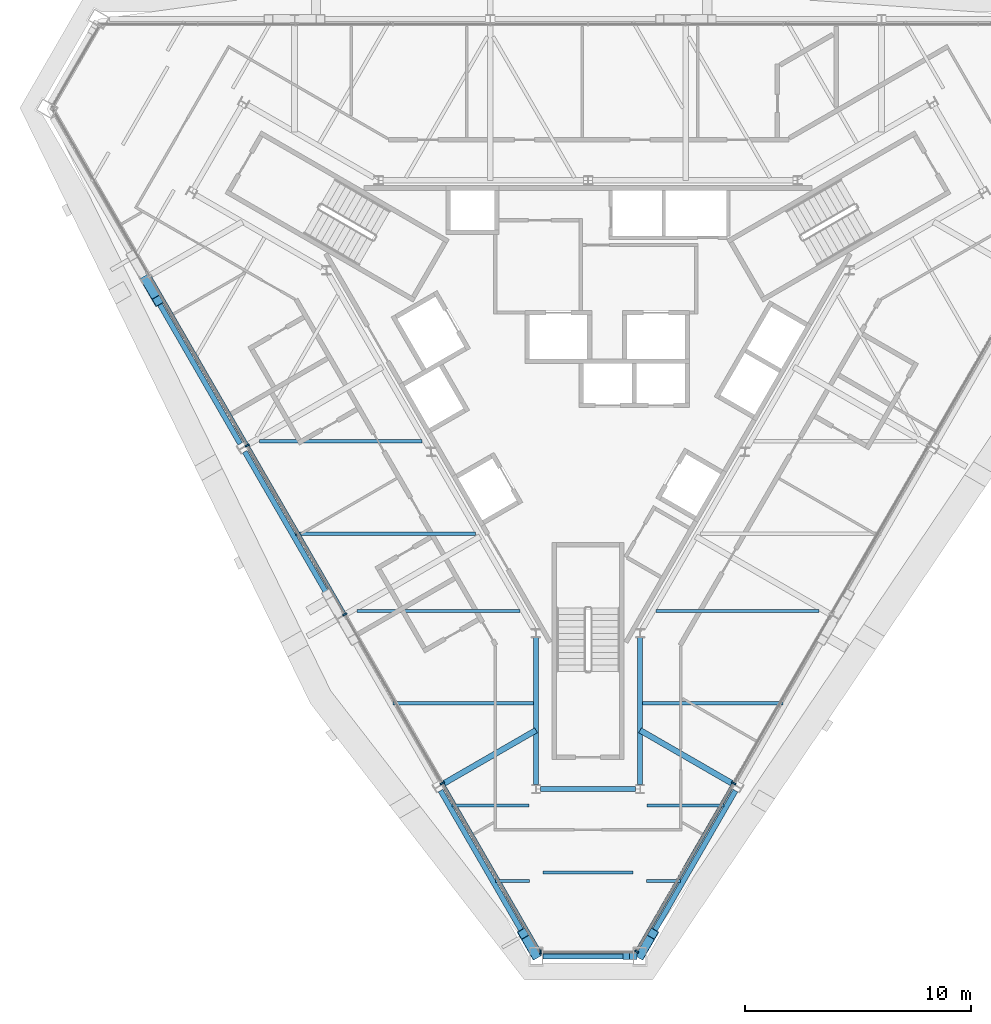
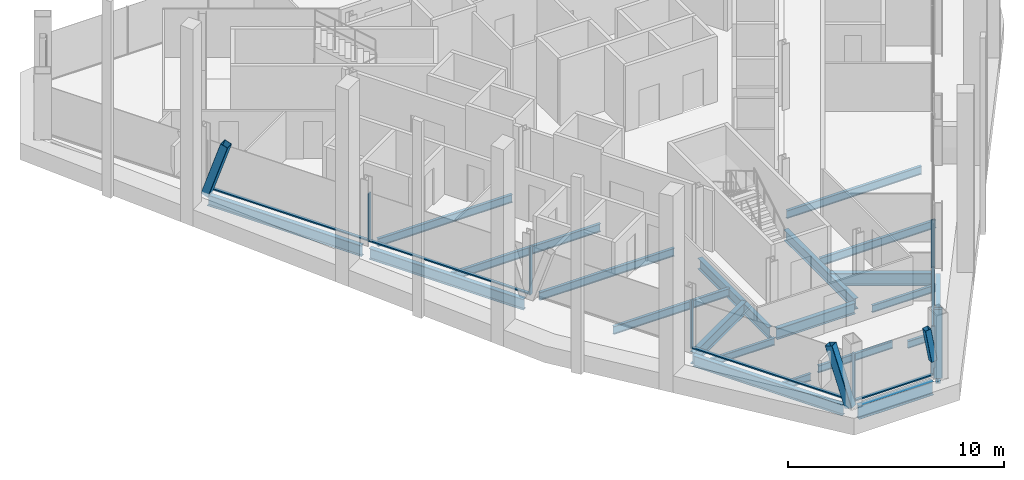
# One storey, part 2 of 14: 21 beams, 15 members, 3 elements without a shape of their own.
"""IFC4 building model written with IfcOpenShell, lengths in metres."""

from ifc_helpers import new_model, si_unit, direction, frame, origin, origin_2d, place, context, subcontext, project, spatial, rectangle, hollow_rectangle, i_section, extrude, material, material_profile, profile_set, type_object, element, aggregate, save


model = new_model("IFC4")

# Units and contexts
model_context = context("Model", 3, precision=1e-05, world=origin(), true_north=direction((0.0, 1.0)))
body_context = subcontext(model_context, "Body", "Model", "MODEL_VIEW")
ifc_project = project(units=[si_unit("LENGTHUNIT", "METRE"), si_unit("AREAUNIT", "SQUARE_METRE"), si_unit("VOLUMEUNIT", "CUBIC_METRE"), si_unit("PLANEANGLEUNIT", "RADIAN"), si_unit("MASSUNIT", "GRAM", prefix="KILO")], contexts=[model_context])

# Site, building, storey
site_placement = place(None, origin())
site = spatial("IfcSite", under=ifc_project, at=site_placement, CompositionType="ELEMENT")
building_placement = place(site_placement, origin())
building = spatial("IfcBuilding", under=site, at=building_placement, Name="Verrane Prism Tower", CompositionType="ELEMENT")
storey_placement = place(building_placement, frame((0.0, 0.0, 206.39990234375)))
storey = spatial("IfcBuildingStorey", under=building, at=storey_placement, Name="L51", CompositionType="ELEMENT", Elevation=206.39990234375)

# Member
ifc_material_1 = material(Name="Steel A500 Grade C", Category="steel")
ifc_material_profile_1 = material_profile(ifc_material_1, hollow_rectangle(XDim=0.3046875, YDim=0.3046875, WallThickness=0.0126953125, InnerFilletRadius=0.00634765625, OuterFilletRadius=0.01904296875, at=origin_2d()), Name="HSS12x12x1/2")
ifc_profile_set_1 = profile_set([ifc_material_profile_1], Name="Steel A500 Grade C")
member_type_1 = type_object("IfcMemberType", Name="Chamfer brace HSS12x12x1/2", PredefinedType="BRACE", material=ifc_profile_set_1)
member_1_placement = place(storey_placement, frame((2.02001953125, -26.2900390625, 0.988525390625), z_axis=(-0.174172532902, 0.0, 0.984715151088), x_axis=(0.0, -1.0, 0.0)))
element("IfcMember", 1, at=member_1_placement, inside=storey, type_object=member_type_1, Name="Chamfer brace S0 L51", PredefinedType="BRACE", context=body_context, shape_type="SweptSolid", body=[
    extrude(hollow_rectangle(XDim=0.3046875, YDim=0.3046875, WallThickness=0.0126953125, InnerFilletRadius=0.00634765625, OuterFilletRadius=0.01904296875, at=origin_2d()), origin(), (0.0, 0.0, 1.0), 1.90625),
])

# Beams
ifc_material_2 = material(Name="Steel A992", Category="steel")
ifc_material_profile_2 = material_profile(ifc_material_2, i_section(OverallWidth=0.2666015625, OverallDepth=0.7568359375, WebThickness=0.013916015625, FlangeThickness=0.019287109375, FilletRadius=0.0166015625, at=origin_2d()), Name="W30x108")
ifc_profile_set_2 = profile_set([ifc_material_profile_2], Name="Steel A992")
beam_type_1 = type_object("IfcBeamType", Name="Chamfer spandrel beam W30x108", PredefinedType="SPANDREL", material=ifc_profile_set_2)
beam_1_placement = place(storey_placement, frame((-1.989990234375, -26.2900390625, -0.538330078125), z_axis=(1.0, 0.0, 0.0), x_axis=(0.0, 1.0, 0.0)))
element("IfcBeam", 2, at=beam_1_placement, inside=storey, type_object=beam_type_1, Name="Chamfer spandrel beam L51", PredefinedType="SPANDREL", context=body_context, shape_type="SweptSolid", body=[
    extrude(i_section(OverallWidth=0.2666015625, OverallDepth=0.7568359375, WebThickness=0.013916015625, FlangeThickness=0.019287109375, FilletRadius=0.0166015625, at=origin_2d()), origin(), (0.0, 0.0, 1.0), 3.97998046875),
])
ifc_material_3 = material(Name="Steel A992", Category="steel")
ifc_material_profile_3 = material_profile(ifc_material_3, i_section(OverallWidth=0.23046875, OverallDepth=0.6171875, WebThickness=0.01318359375, FlangeThickness=0.022216796875, FilletRadius=0.012939453125, at=origin_2d()), Name="W24x94")
ifc_profile_set_3 = profile_set([ifc_material_profile_3], Name="Steel A992")
beam_type_2 = type_object("IfcBeamType", Name="Core ring girder W24x94", PredefinedType="BEAM", material=ifc_profile_set_3)
beam_2_placement = place(storey_placement, frame((-2.300048828125, -12.212890625, -0.55859375), z_axis=(0.0, -1.0, 0.0), x_axis=(1.0, 0.0, 0.0)))
element("IfcBeam", 3, at=beam_2_placement, inside=storey, type_object=beam_type_2, Name="Core ring girder L51", PredefinedType="BEAM", context=body_context, shape_type="SweptSolid", body=[
    extrude(i_section(OverallWidth=0.23046875, OverallDepth=0.6171875, WebThickness=0.01318359375, FlangeThickness=0.022216796875, FilletRadius=0.012939453125, at=origin_2d()), origin(), (0.0, 0.0, 1.0), 6.48779296875),
])
beam_3_placement = place(storey_placement, frame((-2.099365234375, -18.89990234375, -0.55859375), z_axis=(1.0, 0.0, 0.0), x_axis=(0.0, 1.0, 0.0)))
element("IfcBeam", 4, at=beam_3_placement, inside=storey, type_object=beam_type_2, Name="Core ring girder L51", PredefinedType="BEAM", context=body_context, shape_type="SweptSolid", body=[
    extrude(i_section(OverallWidth=0.23046875, OverallDepth=0.6171875, WebThickness=0.01318359375, FlangeThickness=0.022216796875, FilletRadius=0.012939453125, at=origin_2d()), origin(), (0.0, 0.0, 1.0), 4.19873046875),
])
beam_4_placement = place(storey_placement, frame((2.300048828125, -18.70068359375, -0.55859375), z_axis=(0.0, 1.0, 0.0), x_axis=(-1.0, 0.0, 0.0)))
element("IfcBeam", 5, at=beam_4_placement, inside=storey, type_object=beam_type_2, Name="Core ring girder L51", PredefinedType="BEAM", context=body_context, shape_type="SweptSolid", body=[
    extrude(i_section(OverallWidth=0.23046875, OverallDepth=0.6171875, WebThickness=0.01318359375, FlangeThickness=0.022216796875, FilletRadius=0.012939453125, at=origin_2d()), origin(), (0.0, 0.0, 1.0), 6.48779296875),
])

# Members
ifc_material_4 = material(Name="Steel A500 Grade C", Category="steel")
ifc_material_profile_4 = material_profile(ifc_material_4, hollow_rectangle(XDim=0.406494140625, YDim=0.406494140625, WallThickness=0.01904296875, InnerFilletRadius=0.009521484375, OuterFilletRadius=0.028564453125, at=origin_2d()), Name="HSS16x16x3/4")
ifc_profile_set_4 = profile_set([ifc_material_profile_4], Name="Steel A500 Grade C")
member_type_2 = type_object("IfcMemberType", Name="Facade brace HSS16x16x3/4", PredefinedType="BRACE", material=ifc_profile_set_4)
member_2_placement = place(storey_placement, frame((-19.54052734375, 3.583984375, -0.171630859375), z_axis=(0.158225916084, -0.274268053334, 0.948547096564), x_axis=(0.86619331399, 0.499709058151, 0.0)))
element("IfcMember", 6, at=member_2_placement, inside=storey, type_object=member_type_2, Name="Facade brace SW1 L51", PredefinedType="BRACE", context=body_context, shape_type="SweptSolid", body=[
    extrude(hollow_rectangle(XDim=0.406494140625, YDim=0.406494140625, WallThickness=0.01904296875, InnerFilletRadius=0.009521484375, OuterFilletRadius=0.028564453125, at=origin_2d()), origin(), (0.0, 0.0, 1.0), 3.322021484375),
])
for number, where, z_axis, x_axis, name in (
    (7, (-2.339599609375, -26.2041015625, -0.171630859375), (-0.158580943539, 0.274320047373, 0.948472770276), (-0.865748962262, -0.500478505374, 0.0), "Facade brace SW4 L51"),
    (8, (2.339599609375, -26.2041015625, -0.171630859375), (0.158580943539, 0.274320047373, 0.948472770276), (-0.865748962262, 0.500478505374, 0.0), "Facade brace SE0 L51"),
):
    element("IfcMember", number, at=place(storey_placement, frame(where, z_axis=z_axis, x_axis=x_axis)), inside=storey, type_object=member_type_2, Name=name, PredefinedType="BRACE", context=body_context, shape_type="SweptSolid", body=[
        extrude(hollow_rectangle(XDim=0.406494140625, YDim=0.406494140625, WallThickness=0.01904296875, InnerFilletRadius=0.009521484375, OuterFilletRadius=0.028564453125, at=origin_2d()), origin(), (0.0, 0.0, 1.0), 3.322265625),
    ])

# Beams
ifc_material_5 = material(Name="Steel A992", Category="steel")
ifc_material_profile_5 = material_profile(ifc_material_5, i_section(OverallWidth=0.140380859375, OverallDepth=0.40380859375, WebThickness=0.007080078125, FlangeThickness=0.01123046875, FilletRadius=0.01025390625, at=origin_2d()), Name="W16x31")
ifc_profile_set_5 = profile_set([ifc_material_profile_5], Name="Steel A992")
beam_type_3 = type_object("IfcBeamType", Name="Floor beam W16x31", PredefinedType="BEAM", material=ifc_profile_set_5)
beam_5_placement = place(storey_placement, frame((-4.080322265625, -22.96337890625, -0.36181640625), z_axis=(1.0, 0.0, 0.0), x_axis=(0.0, 1.0, 0.0)))
element("IfcBeam", 9, at=beam_5_placement, inside=storey, type_object=beam_type_3, Name="Floor beam L51", PredefinedType="BEAM", context=body_context, shape_type="SweptSolid", body=[
    extrude(i_section(OverallWidth=0.140380859375, OverallDepth=0.40380859375, WebThickness=0.007080078125, FlangeThickness=0.01123046875, FilletRadius=0.01025390625, at=origin_2d()), origin(), (0.0, 0.0, 1.0), 1.48583984375),
])
beam_6_placement = place(storey_placement, frame((-6.00341796875, -19.63671875, -0.36181640625), z_axis=(1.0, 0.0, 0.0), x_axis=(0.0, 1.0, 0.0)))
element("IfcBeam", 10, at=beam_6_placement, inside=storey, type_object=beam_type_3, Name="Floor beam L51", PredefinedType="BEAM", context=body_context, shape_type="SweptSolid", body=[
    extrude(i_section(OverallWidth=0.140380859375, OverallDepth=0.40380859375, WebThickness=0.007080078125, FlangeThickness=0.01123046875, FilletRadius=0.01025390625, at=origin_2d()), origin(), (0.0, 0.0, 1.0), 3.404296875),
])
beam_7_placement = place(storey_placement, frame((2.594482421875, -22.96337890625, -0.36181640625), z_axis=(1.0, 0.0, 0.0), x_axis=(0.0, 1.0, 0.0)))
element("IfcBeam", 11, at=beam_7_placement, inside=storey, type_object=beam_type_3, Name="Floor beam L51", PredefinedType="BEAM", context=body_context, shape_type="SweptSolid", body=[
    extrude(i_section(OverallWidth=0.140380859375, OverallDepth=0.40380859375, WebThickness=0.007080078125, FlangeThickness=0.01123046875, FilletRadius=0.01025390625, at=origin_2d()), origin(), (0.0, 0.0, 1.0), 1.48583984375),
])
beam_8_placement = place(storey_placement, frame((2.59912109375, -19.63671875, -0.36181640625), z_axis=(1.0, 0.0, 0.0), x_axis=(0.0, 1.0, 0.0)))
element("IfcBeam", 12, at=beam_8_placement, inside=storey, type_object=beam_type_3, Name="Floor beam L51", PredefinedType="BEAM", context=body_context, shape_type="SweptSolid", body=[
    extrude(i_section(OverallWidth=0.140380859375, OverallDepth=0.40380859375, WebThickness=0.007080078125, FlangeThickness=0.01123046875, FilletRadius=0.01025390625, at=origin_2d()), origin(), (0.0, 0.0, 1.0), 3.404296875),
])
beam_9_placement = place(storey_placement, frame((-1.9951171875, -22.594970703125, -0.36181640625), z_axis=(1.0, 0.0, 0.0), x_axis=(0.0, 1.0, 0.0)))
element("IfcBeam", 13, at=beam_9_placement, inside=storey, type_object=beam_type_3, Name="Floor beam L51", PredefinedType="BEAM", context=body_context, shape_type="SweptSolid", body=[
    extrude(i_section(OverallWidth=0.140380859375, OverallDepth=0.40380859375, WebThickness=0.007080078125, FlangeThickness=0.01123046875, FilletRadius=0.01025390625, at=origin_2d()), origin(), (0.0, 0.0, 1.0), 3.990234375),
])
ifc_material_6 = material(Name="Steel A992", Category="steel")
ifc_material_profile_6 = material_profile(ifc_material_6, i_section(OverallWidth=0.15234375, OverallDepth=0.449462890625, WebThickness=0.007568359375, FlangeThickness=0.0107421875, FilletRadius=0.01025390625, at=origin_2d()), Name="W18x35")
ifc_profile_set_6 = profile_set([ifc_material_profile_6], Name="Steel A992")
beam_type_4 = type_object("IfcBeamType", Name="Floor beam W18x35", PredefinedType="BEAM", material=ifc_profile_set_6)
beam_10_placement = place(storey_placement, frame((-12.9384765625, -7.623291015625, -0.384765625), z_axis=(1.0, 0.0, 0.0), x_axis=(0.0, 1.0, 0.0)))
element("IfcBeam", 14, at=beam_10_placement, inside=storey, type_object=beam_type_4, Name="Floor beam L51", PredefinedType="BEAM", context=body_context, shape_type="SweptSolid", body=[
    extrude(i_section(OverallWidth=0.15234375, OverallDepth=0.449462890625, WebThickness=0.007568359375, FlangeThickness=0.0107421875, FilletRadius=0.01025390625, at=origin_2d()), origin(), (0.0, 0.0, 1.0), 7.962890625),
])
beam_11_placement = place(storey_placement, frame((-14.525390625, -3.53662109375, -0.384765625), z_axis=(1.0, 0.0, 0.0), x_axis=(0.0, 1.0, 0.0)))
element("IfcBeam", 15, at=beam_11_placement, inside=storey, type_object=beam_type_4, Name="Floor beam L51", PredefinedType="BEAM", context=body_context, shape_type="SweptSolid", body=[
    extrude(i_section(OverallWidth=0.15234375, OverallDepth=0.449462890625, WebThickness=0.007568359375, FlangeThickness=0.0107421875, FilletRadius=0.01025390625, at=origin_2d()), origin(), (0.0, 0.0, 1.0), 7.19580078125),
])
beam_12_placement = place(storey_placement, frame((-8.61181640625, -15.11669921875, -0.384765625), z_axis=(1.0, 0.0, 0.0), x_axis=(0.0, 1.0, 0.0)))
element("IfcBeam", 16, at=beam_12_placement, inside=storey, type_object=beam_type_4, Name="Floor beam L51", PredefinedType="BEAM", context=body_context, shape_type="SweptSolid", body=[
    extrude(i_section(OverallWidth=0.15234375, OverallDepth=0.449462890625, WebThickness=0.007568359375, FlangeThickness=0.0107421875, FilletRadius=0.01025390625, at=origin_2d()), origin(), (0.0, 0.0, 1.0), 6.19677734375),
])
beam_13_placement = place(storey_placement, frame((-10.20654296875, -11.033203125, -0.384765625), z_axis=(1.0, 0.0, 0.0), x_axis=(0.0, 1.0, 0.0)))
element("IfcBeam", 17, at=beam_13_placement, inside=storey, type_object=beam_type_4, Name="Floor beam L51", PredefinedType="BEAM", context=body_context, shape_type="SweptSolid", body=[
    extrude(i_section(OverallWidth=0.15234375, OverallDepth=0.449462890625, WebThickness=0.007568359375, FlangeThickness=0.0107421875, FilletRadius=0.01025390625, at=origin_2d()), origin(), (0.0, 0.0, 1.0), 7.203125),
])
beam_14_placement = place(storey_placement, frame((2.4150390625, -15.11669921875, -0.384765625), z_axis=(1.0, 0.0, 0.0), x_axis=(0.0, 1.0, 0.0)))
element("IfcBeam", 18, at=beam_14_placement, inside=storey, type_object=beam_type_4, Name="Floor beam L51", PredefinedType="BEAM", context=body_context, shape_type="SweptSolid", body=[
    extrude(i_section(OverallWidth=0.15234375, OverallDepth=0.449462890625, WebThickness=0.007568359375, FlangeThickness=0.0107421875, FilletRadius=0.01025390625, at=origin_2d()), origin(), (0.0, 0.0, 1.0), 6.19677734375),
])
beam_15_placement = place(storey_placement, frame((3.00341796875, -11.033203125, -0.384765625), z_axis=(1.0, 0.0, 0.0), x_axis=(0.0, 1.0, 0.0)))
element("IfcBeam", 19, at=beam_15_placement, inside=storey, type_object=beam_type_4, Name="Floor beam L51", PredefinedType="BEAM", context=body_context, shape_type="SweptSolid", body=[
    extrude(i_section(OverallWidth=0.15234375, OverallDepth=0.449462890625, WebThickness=0.007568359375, FlangeThickness=0.0107421875, FilletRadius=0.01025390625, at=origin_2d()), origin(), (0.0, 0.0, 1.0), 7.203125),
])

# Curtain wall, members
ifc_material_7 = material(Name="Aluminium framed insulated glazing", Category="aluminium")
curtain_wall_type = type_object("IfcCurtainWallType", Name="Curtain wall CW-A 8400 module", PredefinedType="NOTDEFINED", material=ifc_material_7)
curtain_wall_1_placement = place(storey_placement, origin())
curtain_wall_1 = element("IfcCurtainWall", 20, at=curtain_wall_1_placement, inside=storey, type_object=curtain_wall_type, Name="Glazed curtain wall south-west face L51", PredefinedType="NOTDEFINED")
ifc_material_8 = material(Name="Aluminium alloy 6063-T6", Category="aluminium")
ifc_material_profile_7 = material_profile(ifc_material_8, rectangle(XDim=0.199951171875, YDim=0.070068359375, at=origin_2d()), Name="Mullion 70x200 aluminium")
ifc_profile_set_7 = profile_set([ifc_material_profile_7], Name="Aluminium alloy 6063-T6")
member_type_3 = type_object("IfcMemberType", Name="Mullion 70x200 aluminium", PredefinedType="MULLION", material=ifc_profile_set_7)
member_3_placement = place(storey_placement, frame((-15.060302734375, -3.71826171875, 0.0), z_axis=(0.0, 0.0, 1.0), x_axis=(0.866026096662, 0.499998799899, 0.0)))
member_3 = element("IfcMember", 21, at=member_3_placement, type_object=member_type_3, Name="CW51.4 mullion 3", PredefinedType="MULLION", context=body_context, shape_type="SweptSolid", body=[
    extrude(rectangle(XDim=0.199951171875, YDim=0.070068359375, at=origin_2d()), origin(), (0.0, 0.0, 1.0), 2.712890625),
])
member_4_placement = place(storey_placement, frame((-10.750244140625, -11.18359375, 0.0), z_axis=(0.0, 0.0, 1.0), x_axis=(0.866026096662, 0.499998799899, 0.0)))
member_4 = element("IfcMember", 22, at=member_4_placement, type_object=member_type_3, Name="CW51.4 mullion 4", PredefinedType="MULLION", context=body_context, shape_type="SweptSolid", body=[
    extrude(rectangle(XDim=0.199951171875, YDim=0.070068359375, at=origin_2d()), origin(), (0.0, 0.0, 1.0), 2.712890625),
])
member_5_placement = place(storey_placement, frame((-6.43994140625, -18.649169921875, 0.0), z_axis=(0.0, 0.0, 1.0), x_axis=(0.866026096662, 0.499998799899, 0.0)))
member_5 = element("IfcMember", 23, at=member_5_placement, type_object=member_type_3, Name="CW51.4 mullion 5", PredefinedType="MULLION", context=body_context, shape_type="SweptSolid", body=[
    extrude(rectangle(XDim=0.199951171875, YDim=0.070068359375, at=origin_2d()), origin(), (0.0, 0.0, 1.0), 2.712890625),
])

# Curtain wall, member
curtain_wall_2_placement = place(storey_placement, origin())
curtain_wall_2 = element("IfcCurtainWall", 24, at=curtain_wall_2_placement, inside=storey, type_object=curtain_wall_type, Name="Glazed curtain wall south corner L51", PredefinedType="NOTDEFINED")
member_6_placement = place(storey_placement, frame((-2.094970703125, -26.114501953125, 0.0), z_axis=(0.0, 0.0, 1.0), x_axis=(0.0, 1.0, 0.0)))
member_6 = element("IfcMember", 25, at=member_6_placement, type_object=member_type_3, Name="CW51.5 mullion 1", PredefinedType="MULLION", context=body_context, shape_type="SweptSolid", body=[
    extrude(rectangle(XDim=0.199951171875, YDim=0.070068359375, at=origin_2d()), origin(), (0.0, 0.0, 1.0), 2.712890625),
])

# Curtain wall, members
curtain_wall_3_placement = place(storey_placement, origin())
curtain_wall_3 = element("IfcCurtainWall", 26, at=curtain_wall_3_placement, inside=storey, type_object=curtain_wall_type, Name="Glazed curtain wall south-east face L51", PredefinedType="NOTDEFINED")
member_7_placement = place(storey_placement, frame((2.1474609375, -26.084228515625, 0.0), z_axis=(0.0, 0.0, 1.0), x_axis=(-0.866026096662, 0.499998799899, 0.0)))
member_7 = element("IfcMember", 27, at=member_7_placement, type_object=member_type_3, Name="CW51.6 mullion 1", PredefinedType="MULLION", context=body_context, shape_type="SweptSolid", body=[
    extrude(rectangle(XDim=0.199951171875, YDim=0.070068359375, at=origin_2d()), origin(), (0.0, 0.0, 1.0), 2.712890625),
])
member_8_placement = place(storey_placement, frame((6.43994140625, -18.649169921875, 0.0), z_axis=(0.0, 0.0, 1.0), x_axis=(-0.866026096662, 0.499998799899, 0.0)))
member_8 = element("IfcMember", 28, at=member_8_placement, type_object=member_type_3, Name="CW51.6 mullion 2", PredefinedType="MULLION", context=body_context, shape_type="SweptSolid", body=[
    extrude(rectangle(XDim=0.199951171875, YDim=0.070068359375, at=origin_2d()), origin(), (0.0, 0.0, 1.0), 2.712890625),
])

# Beams
ifc_material_9 = material(Name="Steel A992", Category="steel")
ifc_material_profile_8 = material_profile(ifc_material_9, i_section(OverallWidth=0.25390625, OverallDepth=0.683349609375, WebThickness=0.012451171875, FlangeThickness=0.01904296875, FilletRadius=0.01513671875, at=origin_2d()), Name="W27x94")
ifc_profile_set_8 = profile_set([ifc_material_profile_8], Name="Steel A992")
beam_type_5 = type_object("IfcBeamType", Name="Radial girder W27x94", PredefinedType="BEAM", material=ifc_profile_set_8)
for number, where, z_axis, x_axis, name in (
    (29, (-6.447265625, -18.7001953125, -0.5615234375), (0.866035316221, 0.499982830763, 0.0), (-0.499982830763, 0.866035316221, 0.0), "Radial girder L51"),
    (30, (6.447265625, -18.7001953125, -0.5615234375), (-0.866035316221, 0.499982830763, 0.0), (-0.499982830763, -0.866035316221, 0.0), "Radial girder L51"),
):
    element("IfcBeam", number, at=place(storey_placement, frame(where, z_axis=z_axis, x_axis=x_axis)), inside=storey, type_object=beam_type_5, Name=name, PredefinedType="BEAM", context=body_context, shape_type="SweptSolid", body=[
        extrude(i_section(OverallWidth=0.25390625, OverallDepth=0.683349609375, WebThickness=0.012451171875, FlangeThickness=0.01904296875, FilletRadius=0.01513671875, at=origin_2d()), origin(), (0.0, 0.0, 1.0), 4.788818359375),
    ])
ifc_material_10 = material(Name="Steel A992", Category="steel")
ifc_material_profile_9 = material_profile(ifc_material_10, i_section(OverallWidth=0.23046875, OverallDepth=0.6171875, WebThickness=0.01318359375, FlangeThickness=0.022216796875, FilletRadius=0.012939453125, at=origin_2d()), Name="W24x94")
ifc_profile_set_9 = profile_set([ifc_material_profile_9], Name="Steel A992")
beam_type_6 = type_object("IfcBeamType", Name="Spandrel beam W24x94", PredefinedType="SPANDREL", material=ifc_profile_set_9)
beam_16_placement = place(storey_placement, frame((-19.48974609375, 3.49609375, -0.468505859375), z_axis=(0.499613933384, -0.866248184742, 0.0), x_axis=(0.866248184742, 0.499613933384, 0.0)))
element("IfcBeam", 31, at=beam_16_placement, inside=storey, type_object=beam_type_6, Name="Spandrel beam L51", PredefinedType="SPANDREL", context=body_context, shape_type="SweptSolid", body=[
    extrude(i_section(OverallWidth=0.23046875, OverallDepth=0.6171875, WebThickness=0.01318359375, FlangeThickness=0.022216796875, FilletRadius=0.012939453125, at=origin_2d()), origin(), (0.0, 0.0, 1.0), 8.2451171875),
])
beam_17_placement = place(storey_placement, frame((-15.169677734375, -3.99365234375, -0.468505859375), z_axis=(0.500511266251, -0.865730022788, 0.0), x_axis=(0.865730022788, 0.500511266251, 0.0)))
element("IfcBeam", 32, at=beam_17_placement, inside=storey, type_object=beam_type_6, Name="Spandrel beam L51", PredefinedType="SPANDREL", context=body_context, shape_type="SweptSolid", body=[
    extrude(i_section(OverallWidth=0.23046875, OverallDepth=0.6171875, WebThickness=0.01318359375, FlangeThickness=0.022216796875, FilletRadius=0.012939453125, at=origin_2d()), origin(), (0.0, 0.0, 1.0), 8.250244140625),
])
for number, where, z_axis, x_axis, name in (
    (33, (-6.51953125, -18.9736328125, -0.468505859375), (0.500486844155, -0.865744141666, 0.0), (0.865744141666, 0.500486844155, 0.0), "Spandrel beam L51"),
    (34, (2.521240234375, -25.889892578125, -0.468505859375), (0.500486844155, 0.865744141666, 0.0), (-0.865744141666, 0.500486844155, 0.0), "Spandrel beam L51"),
):
    element("IfcBeam", number, at=place(storey_placement, frame(where, z_axis=z_axis, x_axis=x_axis)), inside=storey, type_object=beam_type_6, Name=name, PredefinedType="SPANDREL", context=body_context, shape_type="SweptSolid", body=[
        extrude(i_section(OverallWidth=0.23046875, OverallDepth=0.6171875, WebThickness=0.01318359375, FlangeThickness=0.022216796875, FilletRadius=0.012939453125, at=origin_2d()), origin(), (0.0, 0.0, 1.0), 7.98876953125),
    ])

# Member
ifc_material_11 = material(Name="Aluminium alloy 6063-T6", Category="aluminium")
ifc_material_profile_10 = material_profile(ifc_material_11, rectangle(XDim=0.14990234375, YDim=0.070068359375, at=origin_2d()), Name="Transom 70x150 aluminium")
ifc_profile_set_10 = profile_set([ifc_material_profile_10], Name="Aluminium alloy 6063-T6")
member_type_4 = type_object("IfcMemberType", Name="Transom 70x150 aluminium", PredefinedType="USERDEFINED", material=ifc_profile_set_10)
member_9_placement = place(storey_placement, frame((-19.35302734375, 3.717041015625, 0.03515625), z_axis=(0.499986915336, -0.866032958087, 0.0), x_axis=(0.866032958087, 0.499986915336, 0.0)))
member_9 = element("IfcMember", 35, at=member_9_placement, type_object=member_type_4, Name="CW51.4 transom 2", ObjectType="TRANSOM", PredefinedType="USERDEFINED", context=body_context, shape_type="SweptSolid", body=[
    extrude(rectangle(XDim=0.14990234375, YDim=0.070068359375, at=origin_2d()), origin(), (0.0, 0.0, 1.0), 8.550537109375),
])

member_10_placement = place(storey_placement, frame((-15.04296875, -3.74853515625, 0.03515625), z_axis=(0.499999279071, -0.866025820012, 0.0), x_axis=(0.866025820012, 0.499999279071, 0.0)))
member_10 = element("IfcMember", 36, at=member_10_placement, type_object=member_type_4, Name="CW51.4 transom 3", ObjectType="TRANSOM", PredefinedType="USERDEFINED", context=body_context, shape_type="SweptSolid", body=[
    extrude(rectangle(XDim=0.14990234375, YDim=0.070068359375, at=origin_2d()), origin(), (0.0, 0.0, 1.0), 8.55029296875),
])

member_11_placement = place(storey_placement, frame((-6.422607421875, -18.679443359375, 0.03515625), z_axis=(0.500007995801, -0.866020787358, 0.0), x_axis=(0.866020787358, 0.500007995801, 0.0)))
member_11 = element("IfcMember", 37, at=member_11_placement, type_object=member_type_4, Name="CW51.4 transom 5", ObjectType="TRANSOM", PredefinedType="USERDEFINED", context=body_context, shape_type="SweptSolid", body=[
    extrude(rectangle(XDim=0.14990234375, YDim=0.070068359375, at=origin_2d()), origin(), (0.0, 0.0, 1.0), 8.585205078125),
])

aggregate(curtain_wall_1, [member_3, member_4, member_5, member_9, member_10, member_11])

member_12_placement = place(storey_placement, frame((-2.059814453125, -26.114501953125, 0.03515625), z_axis=(1.0, 0.0, 0.0), x_axis=(0.0, 1.0, 0.0)))
member_12 = element("IfcMember", 38, at=member_12_placement, type_object=member_type_4, Name="CW51.5 transom 1", ObjectType="TRANSOM", PredefinedType="USERDEFINED", context=body_context, shape_type="SweptSolid", body=[
    extrude(rectangle(XDim=0.14990234375, YDim=0.070068359375, at=origin_2d()), origin(), (0.0, 0.0, 1.0), 4.189697265625),
])

aggregate(curtain_wall_2, [member_6, member_12])

member_13_placement = place(storey_placement, frame((2.164794921875, -26.053955078125, 0.03515625), z_axis=(0.500011993549, 0.866018479195, 0.0), x_axis=(-0.866018479195, 0.500011993549, 0.0)))
member_13 = element("IfcMember", 39, at=member_13_placement, type_object=member_type_4, Name="CW51.6 transom 1", ObjectType="TRANSOM", PredefinedType="USERDEFINED", context=body_context, shape_type="SweptSolid", body=[
    extrude(rectangle(XDim=0.14990234375, YDim=0.070068359375, at=origin_2d()), origin(), (0.0, 0.0, 1.0), 8.515380859375),
])

aggregate(curtain_wall_3, [member_7, member_8, member_13])

save(model, "model.ifc")
